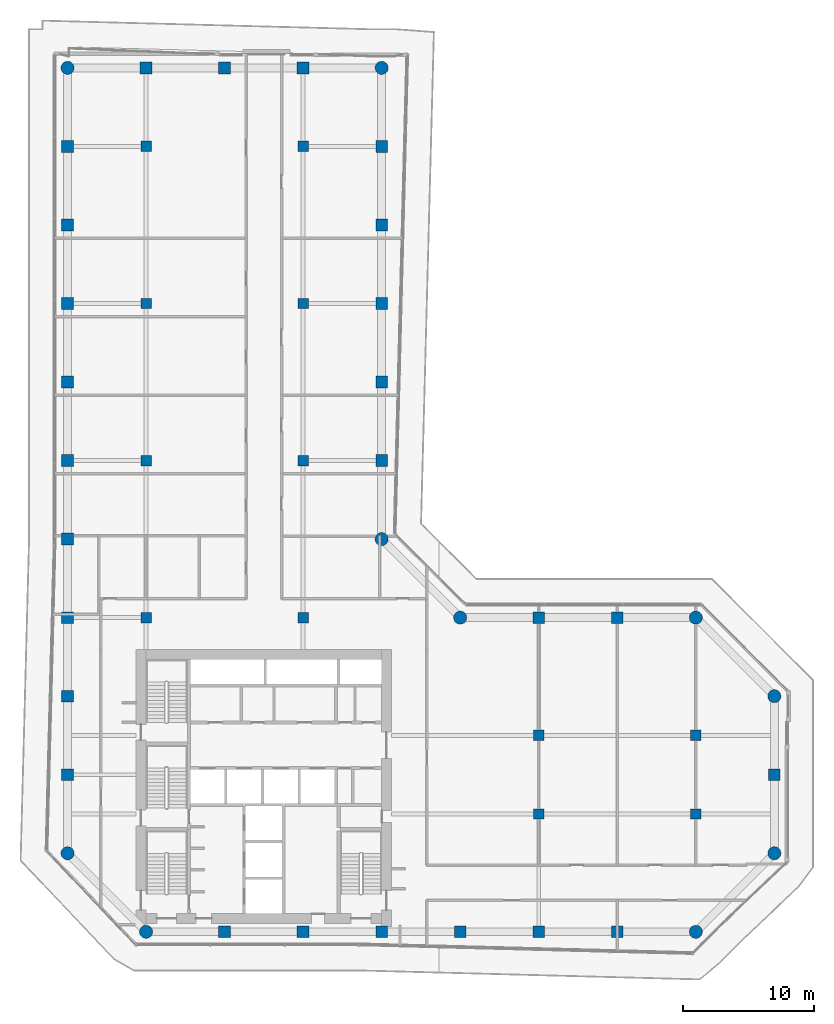
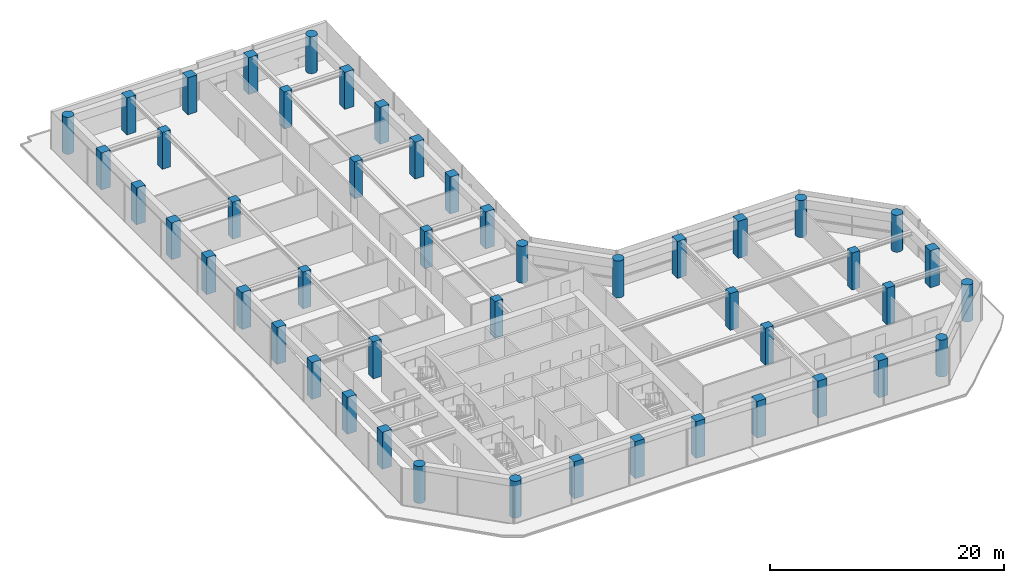
# One storey, part 1 of 23: 48 columns.
"""IFC4 building model written with IfcOpenShell, lengths in metres."""

from ifc_helpers import new_model, si_unit, direction, frame, origin, origin_2d, place, context, subcontext, project, spatial, rectangle, circle, extrude, material, material_profile, profile_set, type_object, element, save


model = new_model("IFC4")

# Units and contexts
model_context = context("Model", 3, precision=1e-05, world=origin(), true_north=direction((0.0, 1.0)))
body_context = subcontext(model_context, "Body", "Model", "MODEL_VIEW")
ifc_project = project(units=[si_unit("LENGTHUNIT", "METRE"), si_unit("AREAUNIT", "SQUARE_METRE"), si_unit("VOLUMEUNIT", "CUBIC_METRE"), si_unit("PLANEANGLEUNIT", "RADIAN"), si_unit("MASSUNIT", "GRAM", prefix="KILO")], contexts=[model_context])

# Site, building, storey
site_placement = place(None, origin())
site = spatial("IfcSite", under=ifc_project, at=site_placement, CompositionType="ELEMENT")
building_placement = place(site_placement, origin())
building = spatial("IfcBuilding", under=site, at=building_placement, Name="Welwitschia Terrace Campus", CompositionType="ELEMENT")
storey_placement = place(building_placement, frame((0.0, 0.0, 117.199951171875)))
storey = spatial("IfcBuildingStorey", under=building, at=storey_placement, Name="L26", CompositionType="ELEMENT", Elevation=117.199951171875)

# Columns
ifc_material_1 = material(Name="Concrete C60/75", Category="concrete")
ifc_material_profile_1 = material_profile(ifc_material_1, circle(Radius=0.5, at=origin_2d()))
ifc_profile_set_1 = profile_set([ifc_material_profile_1], Name="Concrete C60/75")
column_type_1 = type_object("IfcColumnType", Name="Corner column 1000 dia", PredefinedType="COLUMN", material=ifc_profile_set_1)
for number, where, z_axis, x_axis, name in (
    (1, (0.0, 10.0, 0.0), (0.0, 0.0, 1.0), (1.0, 0.0, 0.0), "Column C15"),
    (2, (0.0, 70.0, 0.0), (0.0, 0.0, 1.0), (1.0, 0.0, 0.0), "Column C15"),
    (3, (6.0, 4.0, 0.0), (0.0, 0.0, 1.0), (1.0, 0.0, 0.0), "Column C15"),
    (4, (24.0, 34.0, 0.0), (0.0, 0.0, 1.0), (1.0, 0.0, 0.0), "Column C15"),
    (5, (24.0, 70.0, 0.0), (0.0, 0.0, 1.0), (1.0, 0.0, 0.0), "Column C15"),
    (6, (30.0, 28.0, 0.0), (0.0, 0.0, 1.0), (1.0, 0.0, 0.0), "Column C15"),
    (7, (48.0, 4.0, 0.0), (0.0, 0.0, 1.0), (1.0, 0.0, 0.0), "Column C15"),
    (8, (48.0, 28.0, 0.0), (0.0, 0.0, 1.0), (1.0, 0.0, 0.0), "Column C15"),
    (9, (54.0, 10.0, 0.0), (0.0, 0.0, 1.0), (1.0, 0.0, 0.0), "Column C15"),
    (10, (54.0, 22.0, 0.0), (0.0, 0.0, 1.0), (1.0, 0.0, 0.0), "Column C15"),
):
    element("IfcColumn", number, at=place(storey_placement, frame(where, z_axis=z_axis, x_axis=x_axis)), inside=storey, type_object=column_type_1, Name=name, PredefinedType="COLUMN", context=body_context, shape_type="SweptSolid", body=[
        extrude(circle(Radius=0.5, at=origin_2d()), origin(), (0.0, 0.0, 1.0), 3.85009765625),
    ])
ifc_material_2 = material(Name="Concrete C60/75", Category="concrete")
ifc_material_profile_2 = material_profile(ifc_material_2, rectangle(XDim=0.800048828125, YDim=0.800048828125, at=origin_2d()))
ifc_profile_set_2 = profile_set([ifc_material_profile_2], Name="Concrete C60/75")
column_type_2 = type_object("IfcColumnType", Name="Interior column 800x800", PredefinedType="COLUMN", material=ifc_profile_set_2)
for number, where, z_axis, x_axis, name in (
    (11, (6.0, 28.0, 0.0), (0.0, 0.0, 1.0), (1.0, 0.0, 0.0), "Column C16"),
    (12, (6.0, 40.0, 0.0), (0.0, 0.0, 1.0), (1.0, 0.0, 0.0), "Column C16"),
    (13, (6.0, 52.0, 0.0), (0.0, 0.0, 1.0), (1.0, 0.0, 0.0), "Column C16"),
    (14, (6.0, 64.0, 0.0), (0.0, 0.0, 1.0), (1.0, 0.0, 0.0), "Column C16"),
    (15, (18.0, 28.0, 0.0), (0.0, 0.0, 1.0), (1.0, 0.0, 0.0), "Column C16"),
    (16, (18.0, 40.0, 0.0), (0.0, 0.0, 1.0), (1.0, 0.0, 0.0), "Column C16"),
    (17, (18.0, 52.0, 0.0), (0.0, 0.0, 1.0), (1.0, 0.0, 0.0), "Column C16"),
    (18, (18.0, 64.0, 0.0), (0.0, 0.0, 1.0), (1.0, 0.0, 0.0), "Column C16"),
    (19, (36.0, 13.0, 0.0), (0.0, 0.0, 1.0), (1.0, 0.0, 0.0), "Column C16"),
    (20, (36.0, 19.0, 0.0), (0.0, 0.0, 1.0), (1.0, 0.0, 0.0), "Column C16"),
    (21, (48.0, 13.0, 0.0), (0.0, 0.0, 1.0), (1.0, 0.0, 0.0), "Column C16"),
    (22, (48.0, 19.0, 0.0), (0.0, 0.0, 1.0), (1.0, 0.0, 0.0), "Column C16"),
):
    element("IfcColumn", number, at=place(storey_placement, frame(where, z_axis=z_axis, x_axis=x_axis)), inside=storey, type_object=column_type_2, Name=name, PredefinedType="COLUMN", context=body_context, shape_type="SweptSolid", body=[
        extrude(rectangle(XDim=0.800048828125, YDim=0.800048828125, at=origin_2d()), origin(), (0.0, 0.0, 1.0), 3.85009765625),
    ])
ifc_material_3 = material(Name="Concrete C60/75", Category="concrete")
ifc_material_profile_3 = material_profile(ifc_material_3, rectangle(XDim=0.89990234375, YDim=0.89990234375, at=origin_2d()))
ifc_profile_set_3 = profile_set([ifc_material_profile_3], Name="Concrete C60/75")
column_type_3 = type_object("IfcColumnType", Name="Ring column 900x900", PredefinedType="COLUMN", material=ifc_profile_set_3)
for number, where, z_axis, x_axis, name in (
    (23, (0.0, 16.0, 0.0), (0.0, 0.0, 1.0), (1.0, 0.0, 0.0), "Column C14"),
    (24, (0.0, 22.0, 0.0), (0.0, 0.0, 1.0), (1.0, 0.0, 0.0), "Column C14"),
    (25, (0.0, 28.0, 0.0), (0.0, 0.0, 1.0), (1.0, 0.0, 0.0), "Column C14"),
    (26, (0.0, 34.0, 0.0), (0.0, 0.0, 1.0), (1.0, 0.0, 0.0), "Column C14"),
    (27, (0.0, 40.0, 0.0), (0.0, 0.0, 1.0), (1.0, 0.0, 0.0), "Column C14"),
    (28, (0.0, 46.0, 0.0), (0.0, 0.0, 1.0), (1.0, 0.0, 0.0), "Column C14"),
    (29, (0.0, 52.0, 0.0), (0.0, 0.0, 1.0), (1.0, 0.0, 0.0), "Column C14"),
    (30, (0.0, 58.0, 0.0), (0.0, 0.0, 1.0), (1.0, 0.0, 0.0), "Column C14"),
    (31, (0.0, 64.0, 0.0), (0.0, 0.0, 1.0), (1.0, 0.0, 0.0), "Column C14"),
    (32, (6.0, 70.0, 0.0), (0.0, 0.0, 1.0), (1.0, 0.0, 0.0), "Column C14"),
    (33, (12.0, 4.0, 0.0), (0.0, 0.0, 1.0), (1.0, 0.0, 0.0), "Column C14"),
    (34, (12.0, 70.0, 0.0), (0.0, 0.0, 1.0), (1.0, 0.0, 0.0), "Column C14"),
    (35, (18.0, 4.0, 0.0), (0.0, 0.0, 1.0), (1.0, 0.0, 0.0), "Column C14"),
    (36, (18.0, 70.0, 0.0), (0.0, 0.0, 1.0), (1.0, 0.0, 0.0), "Column C14"),
    (37, (24.0, 4.0, 0.0), (0.0, 0.0, 1.0), (1.0, 0.0, 0.0), "Column C14"),
    (38, (24.0, 40.0, 0.0), (0.0, 0.0, 1.0), (1.0, 0.0, 0.0), "Column C14"),
    (39, (24.0, 46.0, 0.0), (0.0, 0.0, 1.0), (1.0, 0.0, 0.0), "Column C14"),
    (40, (24.0, 52.0, 0.0), (0.0, 0.0, 1.0), (1.0, 0.0, 0.0), "Column C14"),
    (41, (24.0, 58.0, 0.0), (0.0, 0.0, 1.0), (1.0, 0.0, 0.0), "Column C14"),
    (42, (24.0, 64.0, 0.0), (0.0, 0.0, 1.0), (1.0, 0.0, 0.0), "Column C14"),
    (43, (30.0, 4.0, 0.0), (0.0, 0.0, 1.0), (1.0, 0.0, 0.0), "Column C14"),
    (44, (36.0, 4.0, 0.0), (0.0, 0.0, 1.0), (1.0, 0.0, 0.0), "Column C14"),
    (45, (36.0, 28.0, 0.0), (0.0, 0.0, 1.0), (1.0, 0.0, 0.0), "Column C14"),
    (46, (42.0, 4.0, 0.0), (0.0, 0.0, 1.0), (1.0, 0.0, 0.0), "Column C14"),
    (47, (42.0, 28.0, 0.0), (0.0, 0.0, 1.0), (1.0, 0.0, 0.0), "Column C14"),
    (48, (54.0, 16.0, 0.0), (0.0, 0.0, 1.0), (1.0, 0.0, 0.0), "Column C14"),
):
    element("IfcColumn", number, at=place(storey_placement, frame(where, z_axis=z_axis, x_axis=x_axis)), inside=storey, type_object=column_type_3, Name=name, PredefinedType="COLUMN", context=body_context, shape_type="SweptSolid", body=[
        extrude(rectangle(XDim=0.89990234375, YDim=0.89990234375, at=origin_2d()), origin(), (0.0, 0.0, 1.0), 3.85009765625),
    ])

save(model, "model.ifc")
